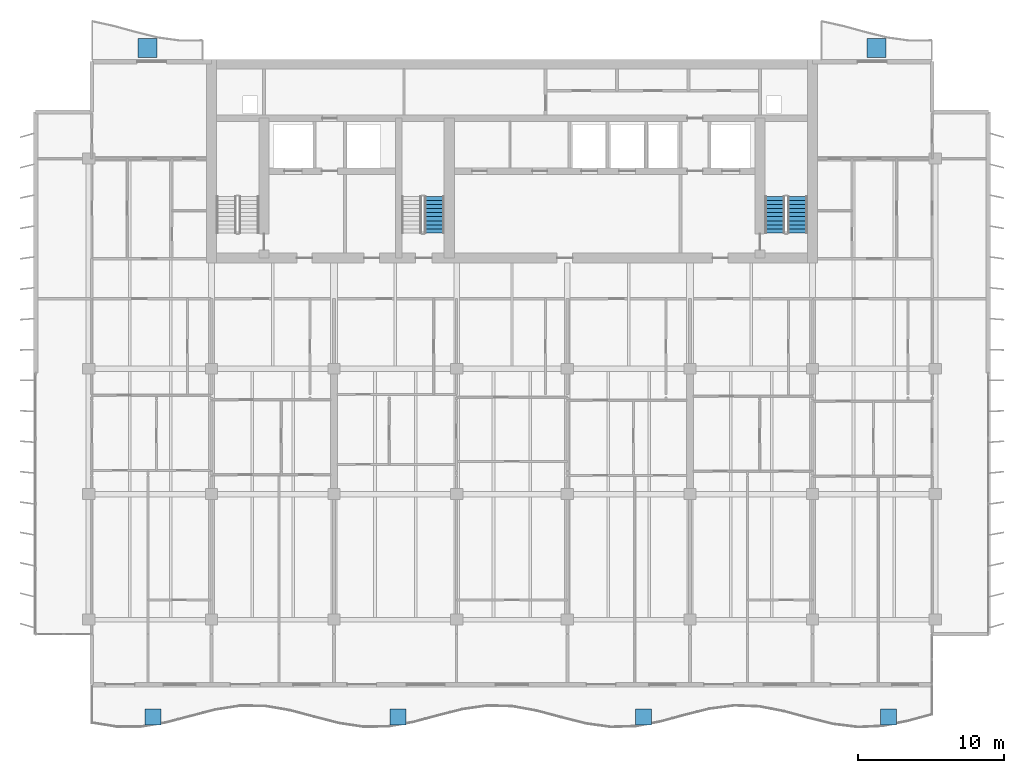
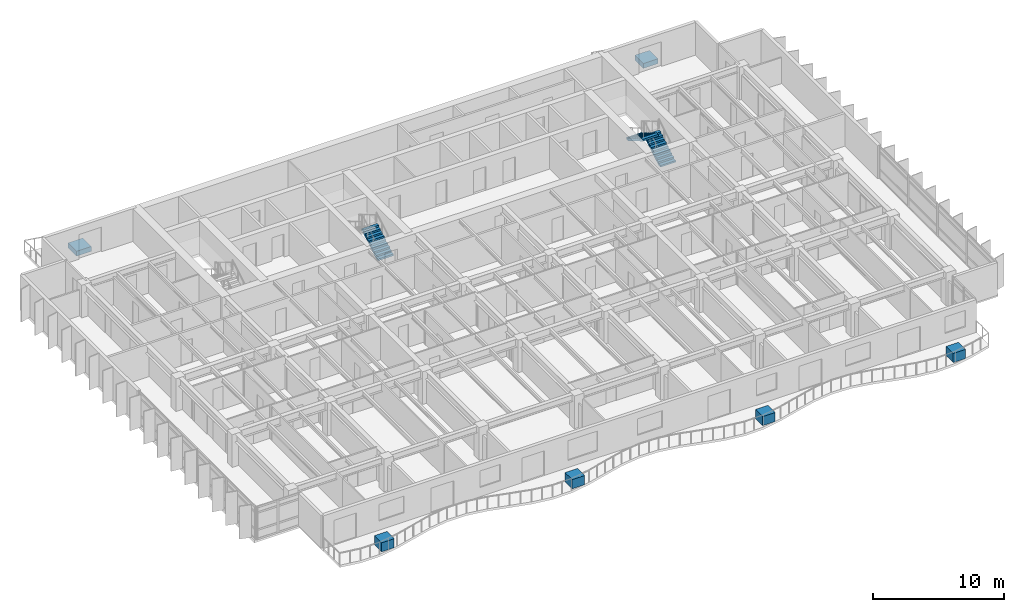
# One storey, part 15 of 19: 6 discrete accessories, 3 stair flights, 2 elements without a shape of their own.
"""IFC4 building model written with IfcOpenShell, lengths in metres."""

from ifc_helpers import new_model, si_unit, direction, frame, origin, origin_2d, place, context, subcontext, project, spatial, polyline, rectangle, outline, extrude, material, type_object, element, aggregate, save


model = new_model("IFC4")

# Units and contexts
model_context = context("Model", 3, precision=1e-05, world=origin(), true_north=direction((0.0, 1.0)))
body_context = subcontext(model_context, "Body", "Model", "MODEL_VIEW")
ifc_project = project(units=[si_unit("LENGTHUNIT", "METRE"), si_unit("AREAUNIT", "SQUARE_METRE"), si_unit("VOLUMEUNIT", "CUBIC_METRE"), si_unit("PLANEANGLEUNIT", "RADIAN"), si_unit("MASSUNIT", "GRAM", prefix="KILO")], contexts=[model_context])

# Site, building, storey
site_placement = place(None, origin())
site = spatial("IfcSite", under=ifc_project, at=site_placement, CompositionType="ELEMENT")
building_placement = place(site_placement, origin())
building = spatial("IfcBuilding", under=site, at=building_placement, Name="Caelmar Bay Residences", CompositionType="ELEMENT")
storey_placement = place(building_placement, frame((0.0, 0.0, 160.5)))
storey = spatial("IfcBuildingStorey", under=building, at=storey_placement, Name="L44", CompositionType="ELEMENT", Elevation=160.5)

# Stair, stair flights
ifc_material_1 = material(Name="Concrete f'c 40 MPa (6,000 psi)", Category="concrete")
stair_type = type_object("IfcStairType", Name="ST-TYP-165", PredefinedType="HALF_TURN_STAIR", material=ifc_material_1)
stair_1_placement = place(storey_placement, origin())
stair_1 = element("IfcStair", 1, at=stair_1_placement, inside=storey, type_object=stair_type, Name="L44 East Smokeproof Exit Stair ST2", PredefinedType="HALF_TURN_STAIR")
stair_flight_type = type_object("IfcStairFlightType", Name="STF-1350", PredefinedType="STRAIGHT", material=ifc_material_1)
stair_flight_1_placement = place(storey_placement, frame((58.47509765625, 38.699951171875, 0.0), z_axis=(0.0, 0.0, 1.0), x_axis=(0.0, 1.0, 0.0)))
stair_flight_1 = element("IfcStairFlight", 2, at=stair_flight_1_placement, type_object=stair_flight_type, Name="ST2 flight 1", NumberOfRisers=10, NumberOfTreads=9, PredefinedType="STRAIGHT", RiserHeight=0.165, TreadLength=0.28, context=body_context, shape_type="SweptSolid", body=[
    extrude(outline(polyline([(0.0, 0.0), (0.0, 0.1650390625), (0.280029296875, 0.1650390625), (0.280029296875, 0.330078125), (0.56005859375, 0.330078125), (0.56005859375, 0.4951171875), (0.840087890625, 0.4951171875), (0.840087890625, 0.659912109375), (1.1201171875, 0.659912109375), (1.1201171875, 0.824951171875), (1.39990234375, 0.824951171875), (1.39990234375, 0.989990234375), (1.679931640625, 0.989990234375), (1.679931640625, 1.155029296875), (1.9599609375, 1.155029296875), (1.9599609375, 1.320068359375), (2.239990234375, 1.320068359375), (2.239990234375, 1.485107421875), (2.52001953125, 1.485107421875), (2.52001953125, 1.64990234375), (2.52001953125, 1.31103515625), (0.295166015625, 0.0), (0.0, 0.0)])), frame((0.0, 0.675048828125, 0.0), z_axis=(0.0, -1.0, 0.0), x_axis=(1.0, 0.0, 0.0)), (0.0, 0.0, 1.0), 1.35009765625),
])
stair_flight_2_placement = place(storey_placement, frame((56.925048828125, 41.219970703125, 1.64990234375), z_axis=(0.0, 0.0, 1.0), x_axis=(0.0, -1.0, 0.0)))
stair_flight_2 = element("IfcStairFlight", 3, at=stair_flight_2_placement, type_object=stair_flight_type, Name="ST2 flight 2", NumberOfRisers=10, NumberOfTreads=9, PredefinedType="STRAIGHT", RiserHeight=0.165, TreadLength=0.28, context=body_context, shape_type="SweptSolid", body=[
    extrude(outline(polyline([(0.0, 0.0), (0.0, 0.1650390625), (0.280029296875, 0.1650390625), (0.280029296875, 0.330078125), (0.56005859375, 0.330078125), (0.56005859375, 0.4951171875), (0.840087890625, 0.4951171875), (0.840087890625, 0.659912109375), (1.1201171875, 0.659912109375), (1.1201171875, 0.824951171875), (1.39990234375, 0.824951171875), (1.39990234375, 0.989990234375), (1.679931640625, 0.989990234375), (1.679931640625, 1.155029296875), (1.9599609375, 1.155029296875), (1.9599609375, 1.320068359375), (2.239990234375, 1.320068359375), (2.239990234375, 1.485107421875), (2.52001953125, 1.485107421875), (2.52001953125, 1.64990234375), (2.52001953125, 1.31103515625), (0.295166015625, 0.0), (0.0, 0.0)])), frame((0.0, 0.675048828125, 0.0), z_axis=(0.0, -1.0, 0.0), x_axis=(1.0, 0.0, 0.0)), (0.0, 0.0, 1.0), 1.35009765625),
])
aggregate(stair_1, [stair_flight_1, stair_flight_2])

# Stair, stair flight
stair_2_placement = place(storey_placement, origin())
stair_2 = element("IfcStair", 4, at=stair_2_placement, inside=storey, type_object=stair_type, Name="L44 Central Smokeproof Exit Stair ST3", PredefinedType="HALF_TURN_STAIR")
stair_flight_3_placement = place(storey_placement, frame((33.574951171875, 38.699951171875, 0.0), z_axis=(0.0, 0.0, 1.0), x_axis=(0.0, 1.0, 0.0)))
stair_flight_3 = element("IfcStairFlight", 5, at=stair_flight_3_placement, type_object=stair_flight_type, Name="ST3 flight 1", NumberOfRisers=10, NumberOfTreads=9, PredefinedType="STRAIGHT", RiserHeight=0.165, TreadLength=0.28, context=body_context, shape_type="SweptSolid", body=[
    extrude(outline(polyline([(0.0, 0.0), (0.0, 0.1650390625), (0.280029296875, 0.1650390625), (0.280029296875, 0.330078125), (0.56005859375, 0.330078125), (0.56005859375, 0.4951171875), (0.840087890625, 0.4951171875), (0.840087890625, 0.659912109375), (1.1201171875, 0.659912109375), (1.1201171875, 0.824951171875), (1.39990234375, 0.824951171875), (1.39990234375, 0.989990234375), (1.679931640625, 0.989990234375), (1.679931640625, 1.155029296875), (1.9599609375, 1.155029296875), (1.9599609375, 1.320068359375), (2.239990234375, 1.320068359375), (2.239990234375, 1.485107421875), (2.52001953125, 1.485107421875), (2.52001953125, 1.64990234375), (2.52001953125, 1.31103515625), (0.295166015625, 0.0), (0.0, 0.0)])), frame((0.0, 0.675048828125, 0.0), z_axis=(0.0, -1.0, 0.0), x_axis=(1.0, 0.0, 0.0)), (0.0, 0.0, 1.0), 1.35009765625),
])
aggregate(stair_2, [stair_flight_3])

# Discrete accessories
ifc_material_2 = material(Name="Architectural bronze GRC planter trough with volcanic-lapilli substrate")
discrete_accessory_type_1 = type_object("IfcDiscreteAccessoryType", Name="ACC-PLANTER-1100", PredefinedType="USERDEFINED", material=ifc_material_2)
for number, where, z_axis, x_axis, name in (
    (6, (14.300048828125, 5.543212890625, 0.0), (0.0, 0.0, 1.0), (1.0, 0.0, 0.0), "L44 Balcony Structural Tree Planter 1"),
    (7, (31.10009765625, 5.543212890625, 0.0), (0.0, 0.0, 1.0), (1.0, 0.0, 0.0), "L44 Balcony Structural Tree Planter 2"),
    (8, (47.89990234375, 5.543212890625, 0.0), (0.0, 0.0, 1.0), (1.0, 0.0, 0.0), "L44 Balcony Structural Tree Planter 3"),
    (9, (64.699951171875, 5.543212890625, 0.0), (0.0, 0.0, 1.0), (1.0, 0.0, 0.0), "L44 Balcony Structural Tree Planter 4"),
):
    element("IfcDiscreteAccessory", number, at=place(storey_placement, frame(where, z_axis=z_axis, x_axis=x_axis)), inside=storey, type_object=discrete_accessory_type_1, Name=name, ObjectType="PLANTER", PredefinedType="USERDEFINED", context=body_context, shape_type="SweptSolid", body=[
        extrude(rectangle(XDim=1.10009765625, YDim=1.10009765625, at=origin_2d()), origin(), (0.0, 0.0, 1.0), 0.85009765625),
    ])
ifc_material_3 = material(Name="Precast concrete f'c 40 MPa (6,000 psi)", Category="concrete")
discrete_accessory_type_2 = type_object("IfcDiscreteAccessoryType", Name="STR-PLANTER-KERB-450", PredefinedType="USERDEFINED", material=ifc_material_3)
for number, where, z_axis, x_axis, name in (
    (10, (13.89990234375, 51.39990234375, 0.0), (0.0, 0.0, 1.0), (1.0, 0.0, 0.0), "L44 north_west Structural Tree Planter Kerb"),
    (11, (63.89990234375, 51.39990234375, 0.0), (0.0, 0.0, 1.0), (1.0, 0.0, 0.0), "L44 north_east Structural Tree Planter Kerb"),
):
    element("IfcDiscreteAccessory", number, at=place(storey_placement, frame(where, z_axis=z_axis, x_axis=x_axis)), inside=storey, type_object=discrete_accessory_type_2, Name=name, ObjectType="PLANTER", PredefinedType="USERDEFINED", context=body_context, shape_type="SweptSolid", body=[
        extrude(rectangle(XDim=1.300048828125, YDim=1.300048828125, at=origin_2d()), origin(), (0.0, 0.0, 1.0), 0.449951171875),
    ])

save(model, "model.ifc")
